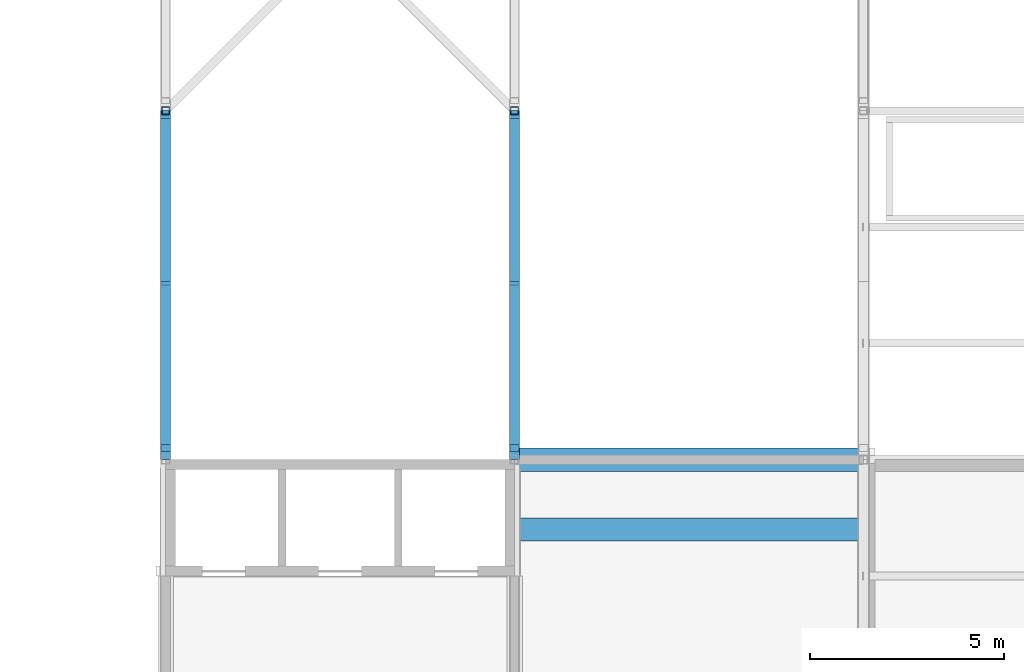
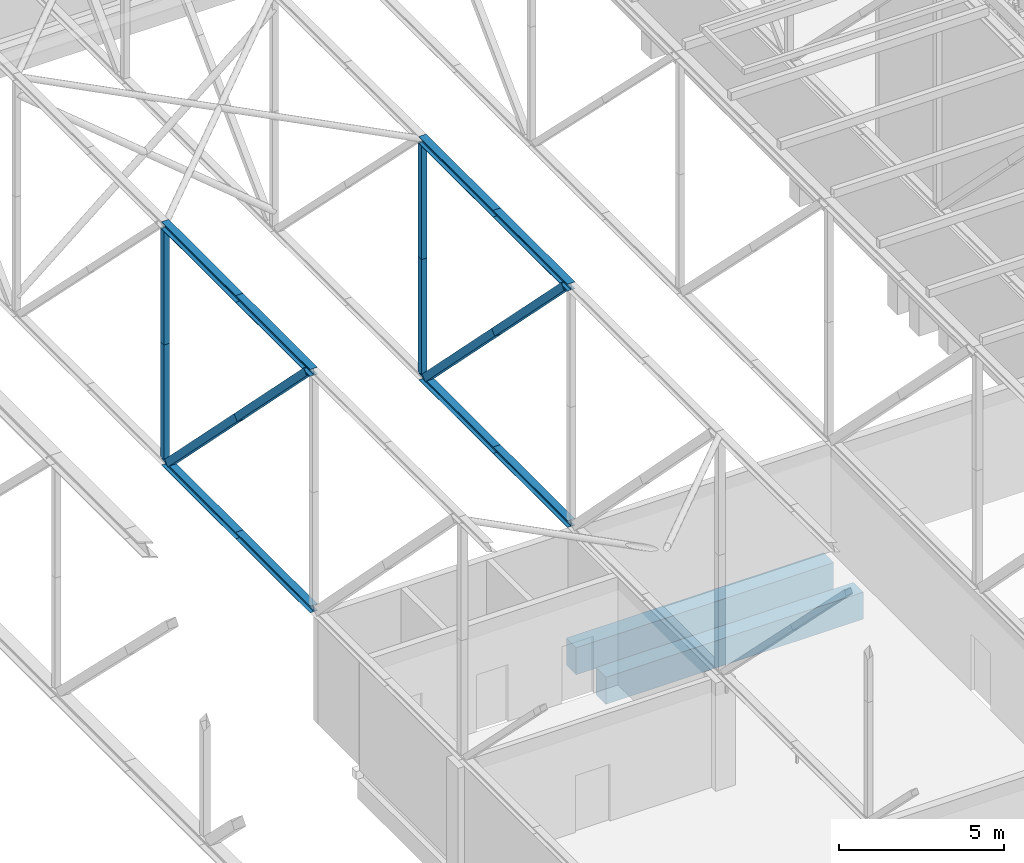
# One storey, part 49 of 646: 16 members, 2 beams.
"""IFC4 building model written with IfcOpenShell, lengths in metres."""

from ifc_helpers import new_model, si_unit, direction, frame, origin, origin_2d, place, context, subcontext, project, spatial, rectangle, hollow_rectangle, i_section, extrude, material, material_profile, profile_set, type_object, element, save


model = new_model("IFC4")

# Units and contexts
model_context = context("Model", 3, precision=1e-05, world=origin(), true_north=direction((0.0, 1.0)))
body_context = subcontext(model_context, "Body", "Model", "MODEL_VIEW")
ifc_project = project(units=[si_unit("LENGTHUNIT", "METRE"), si_unit("AREAUNIT", "SQUARE_METRE"), si_unit("VOLUMEUNIT", "CUBIC_METRE"), si_unit("PLANEANGLEUNIT", "RADIAN"), si_unit("MASSUNIT", "GRAM", prefix="KILO")], contexts=[model_context])

# Site, building, storey
site_placement = place(None, origin())
site = spatial("IfcSite", under=ifc_project, at=site_placement, CompositionType="ELEMENT")
building_placement = place(site_placement, origin())
building = spatial("IfcBuilding", under=site, at=building_placement, Name="Silverbay Arena", CompositionType="ELEMENT")
storey_placement = place(building_placement, frame((0.0, 0.0, 33.5)))
storey = spatial("IfcBuildingStorey", under=building, at=storey_placement, Name="L05", CompositionType="ELEMENT", Elevation=33.5)

# Members
ifc_material_1 = material(Name="Steel S355", Category="steel")
ifc_material_profile_1 = material_profile(ifc_material_1, i_section(OverallWidth=0.254638671875, OverallDepth=0.254150390625, WebThickness=0.008544921875, FlangeThickness=0.01416015625, at=origin_2d()), Name="UC 254x254x73")
ifc_profile_set_1 = profile_set([ifc_material_profile_1], Name="Steel S355")
member_type_1 = type_object("IfcMemberType", Name="Medium-span bottom chord UC 254x254x73", PredefinedType="CHORD", material=ifc_profile_set_1)
for number, where, z_axis, x_axis, name in (
    (1, (162.0, 63.0, 4.126953125), (0.0, 1.0, 0.0), (-1.0, 0.0, 0.0), "ROOF TRUSS 19 bottom chord 07a"),
    (2, (162.0, 67.5, 4.126953125), (0.0, 1.0, 0.0), (-1.0, 0.0, 0.0), "ROOF TRUSS 19 bottom chord 07b"),
    (3, (171.0, 63.0, 4.126953125), (0.0, 1.0, 0.0), (-1.0, 0.0, 0.0), "ROOF TRUSS 20 bottom chord 07a"),
    (4, (171.0, 67.5, 4.126953125), (0.0, 1.0, 0.0), (-1.0, 0.0, 0.0), "ROOF TRUSS 20 bottom chord 07b"),
):
    element("IfcMember", number, at=place(storey_placement, frame(where, z_axis=z_axis, x_axis=x_axis)), inside=storey, type_object=member_type_1, Name=name, PredefinedType="CHORD", context=body_context, shape_type="SweptSolid", body=[
        extrude(i_section(OverallWidth=0.254638671875, OverallDepth=0.254150390625, WebThickness=0.008544921875, FlangeThickness=0.01416015625, at=origin_2d()), origin(), (0.0, 0.0, 1.0), 4.5),
    ])
ifc_material_2 = material(Name="Steel S355", Category="steel")
ifc_material_profile_2 = material_profile(ifc_material_2, i_section(OverallWidth=0.2587890625, OverallDepth=0.2666015625, WebThickness=0.0126953125, FlangeThickness=0.0205078125, at=origin_2d()), Name="UC 254x254x107")
ifc_profile_set_2 = profile_set([ifc_material_profile_2], Name="Steel S355")
member_type_2 = type_object("IfcMemberType", Name="Medium-span top chord UC 254x254x107", PredefinedType="CHORD", material=ifc_profile_set_2)
for number, where, z_axis, x_axis, name in (
    (5, (162.0, 63.0, 12.86669921875), (0.0, 1.0, 0.0), (-1.0, 0.0, 0.0), "ROOF TRUSS 19 top chord 07a"),
    (6, (162.0, 67.5, 12.86669921875), (0.0, 1.0, 0.0), (-1.0, 0.0, 0.0), "ROOF TRUSS 19 top chord 07b"),
    (7, (171.0, 63.0, 12.86669921875), (0.0, 1.0, 0.0), (-1.0, 0.0, 0.0), "ROOF TRUSS 20 top chord 07a"),
    (8, (171.0, 67.5, 12.86669921875), (0.0, 1.0, 0.0), (-1.0, 0.0, 0.0), "ROOF TRUSS 20 top chord 07b"),
):
    element("IfcMember", number, at=place(storey_placement, frame(where, z_axis=z_axis, x_axis=x_axis)), inside=storey, type_object=member_type_2, Name=name, PredefinedType="CHORD", context=body_context, shape_type="SweptSolid", body=[
        extrude(i_section(OverallWidth=0.2587890625, OverallDepth=0.2666015625, WebThickness=0.0126953125, FlangeThickness=0.0205078125, at=origin_2d()), origin(), (0.0, 0.0, 1.0), 4.5),
    ])
ifc_material_3 = material(Name="Steel S355", Category="steel")
ifc_material_profile_3 = material_profile(ifc_material_3, hollow_rectangle(XDim=0.260009765625, YDim=0.260009765625, WallThickness=0.010009765625, at=origin_2d()), Name="SHS 260x260x10")
ifc_profile_set_3 = profile_set([ifc_material_profile_3], Name="Steel S355")
member_type_3 = type_object("IfcMemberType", Name="Medium-span truss diagonal SHS 260x260x10", PredefinedType="BRACE", material=ifc_profile_set_3)
for number, where, z_axis, x_axis, name in (
    (9, (162.0, 63.299560546875, 12.7333984375), (0.0, 0.704218618707, -0.709983194918), (-1.0, 0.0, 0.0), "ROOF TRUSS 19 diagonal 07a"),
    (10, (162.0, 67.5048828125, 8.49365234375), (0.0, 0.704259667026, -0.709942477529), (-1.0, 0.0, 0.0), "ROOF TRUSS 19 diagonal 07b"),
    (11, (171.0, 63.299560546875, 12.7333984375), (0.0, 0.704218618707, -0.709983194918), (-1.0, 0.0, 0.0), "ROOF TRUSS 20 diagonal 07a"),
    (12, (171.0, 67.5048828125, 8.49365234375), (0.0, 0.704259667026, -0.709942477529), (-1.0, 0.0, 0.0), "ROOF TRUSS 20 diagonal 07b"),
):
    element("IfcMember", number, at=place(storey_placement, frame(where, z_axis=z_axis, x_axis=x_axis)), inside=storey, type_object=member_type_3, Name=name, PredefinedType="BRACE", context=body_context, shape_type="SweptSolid", body=[
        extrude(hollow_rectangle(XDim=0.260009765625, YDim=0.260009765625, WallThickness=0.010009765625, at=origin_2d()), origin(), (0.0, 0.0, 1.0), 5.9716796875),
    ])
ifc_material_4 = material(Name="Steel S355", Category="steel")
ifc_material_profile_4 = material_profile(ifc_material_4, hollow_rectangle(XDim=0.199951171875, YDim=0.199951171875, WallThickness=0.008056640625, at=origin_2d()), Name="SHS 200x200x8")
ifc_profile_set_4 = profile_set([ifc_material_profile_4], Name="Steel S355")
member_type_4 = type_object("IfcMemberType", Name="Medium-span truss vertical SHS 200x200x8", PredefinedType="STRUT", material=ifc_profile_set_4)
member_1_placement = place(storey_placement, frame((162.0, 72.0, 4.254150390625), z_axis=(0.0, 0.0, 1.0), x_axis=(1.0, 0.0, 0.0)))
element("IfcMember", 13, at=member_1_placement, inside=storey, type_object=member_type_4, Name="ROOF TRUSS 19 vertical 08a", PredefinedType="STRUT", context=body_context, shape_type="SweptSolid", body=[
    extrude(hollow_rectangle(XDim=0.199951171875, YDim=0.199951171875, WallThickness=0.008056640625, at=origin_2d()), origin(), (0.0, 0.0, 1.0), 4.239501953125),
])
member_2_placement = place(storey_placement, frame((162.0, 72.0, 8.49365234375), z_axis=(0.0, 0.0, 1.0), x_axis=(1.0, 0.0, 0.0)))
element("IfcMember", 14, at=member_2_placement, inside=storey, type_object=member_type_4, Name="ROOF TRUSS 19 vertical 08b", PredefinedType="STRUT", context=body_context, shape_type="SweptSolid", body=[
    extrude(hollow_rectangle(XDim=0.199951171875, YDim=0.199951171875, WallThickness=0.008056640625, at=origin_2d()), origin(), (0.0, 0.0, 1.0), 4.23974609375),
])
member_3_placement = place(storey_placement, frame((171.0, 72.0, 4.254150390625), z_axis=(0.0, 0.0, 1.0), x_axis=(1.0, 0.0, 0.0)))
element("IfcMember", 15, at=member_3_placement, inside=storey, type_object=member_type_4, Name="ROOF TRUSS 20 vertical 08a", PredefinedType="STRUT", context=body_context, shape_type="SweptSolid", body=[
    extrude(hollow_rectangle(XDim=0.199951171875, YDim=0.199951171875, WallThickness=0.008056640625, at=origin_2d()), origin(), (0.0, 0.0, 1.0), 4.239501953125),
])
member_4_placement = place(storey_placement, frame((171.0, 72.0, 8.49365234375), z_axis=(0.0, 0.0, 1.0), x_axis=(1.0, 0.0, 0.0)))
element("IfcMember", 16, at=member_4_placement, inside=storey, type_object=member_type_4, Name="ROOF TRUSS 20 vertical 08b", PredefinedType="STRUT", context=body_context, shape_type="SweptSolid", body=[
    extrude(hollow_rectangle(XDim=0.199951171875, YDim=0.199951171875, WallThickness=0.008056640625, at=origin_2d()), origin(), (0.0, 0.0, 1.0), 4.23974609375),
])

# Beams
ifc_material_5 = material(Name="Concrete Grade C45", Category="concrete")
ifc_material_profile_5 = material_profile(ifc_material_5, rectangle(XDim=0.60009765625, YDim=1.0, at=origin_2d()), Name="RC 600x1000")
ifc_profile_set_5 = profile_set([ifc_material_profile_5], Name="Concrete Grade C45")
beam_type = type_object("IfcBeamType", Name="RC beam 600x1000", PredefinedType="BEAM", material=ifc_profile_set_5)
for number, where, z_axis, x_axis, name in (
    (17, (171.0, 61.199951171875, -0.800048828125), (1.0, 0.0, 0.0), (0.0, 1.0, 0.0), "Floor beam L05 027"),
    (18, (171.0, 63.0, -0.800048828125), (1.0, 0.0, 0.0), (0.0, 1.0, 0.0), "Floor beam L05 031"),
):
    element("IfcBeam", number, at=place(storey_placement, frame(where, z_axis=z_axis, x_axis=x_axis)), inside=storey, type_object=beam_type, Name=name, PredefinedType="BEAM", context=body_context, shape_type="SweptSolid", body=[
        extrude(rectangle(XDim=0.60009765625, YDim=1.0, at=origin_2d()), origin(), (0.0, 0.0, 1.0), 9.0),
    ])

save(model, "model.ifc")
